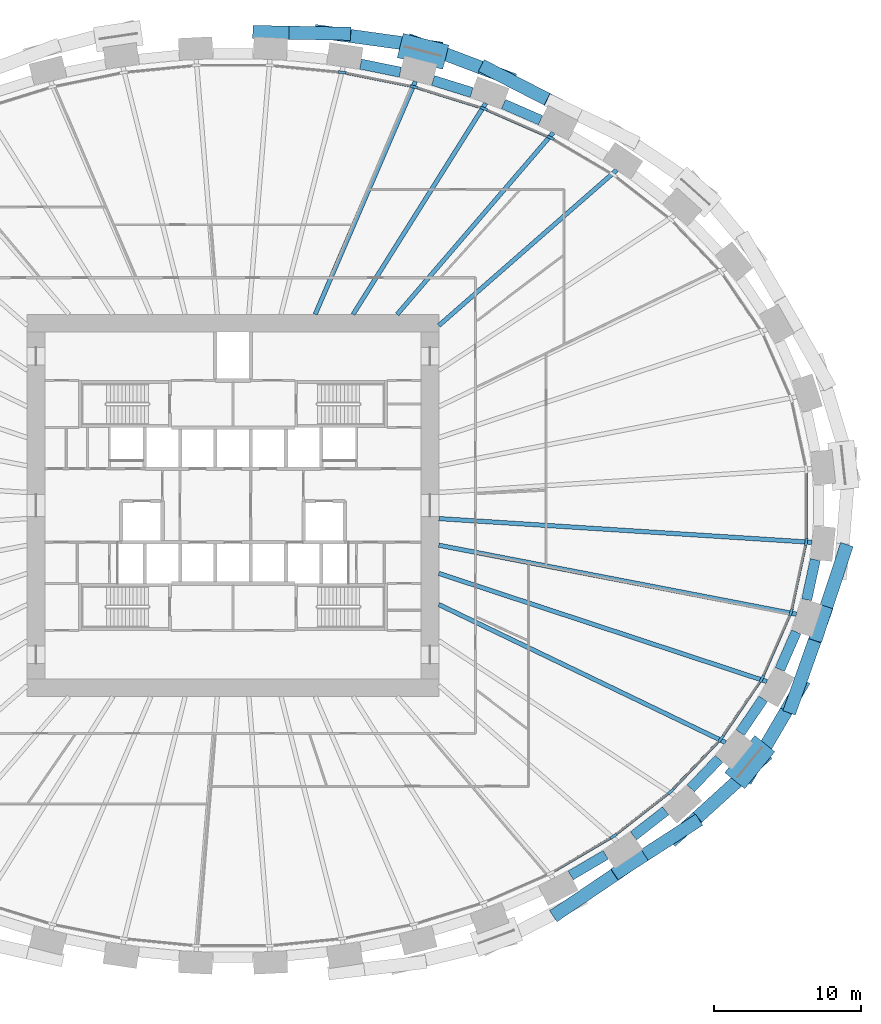
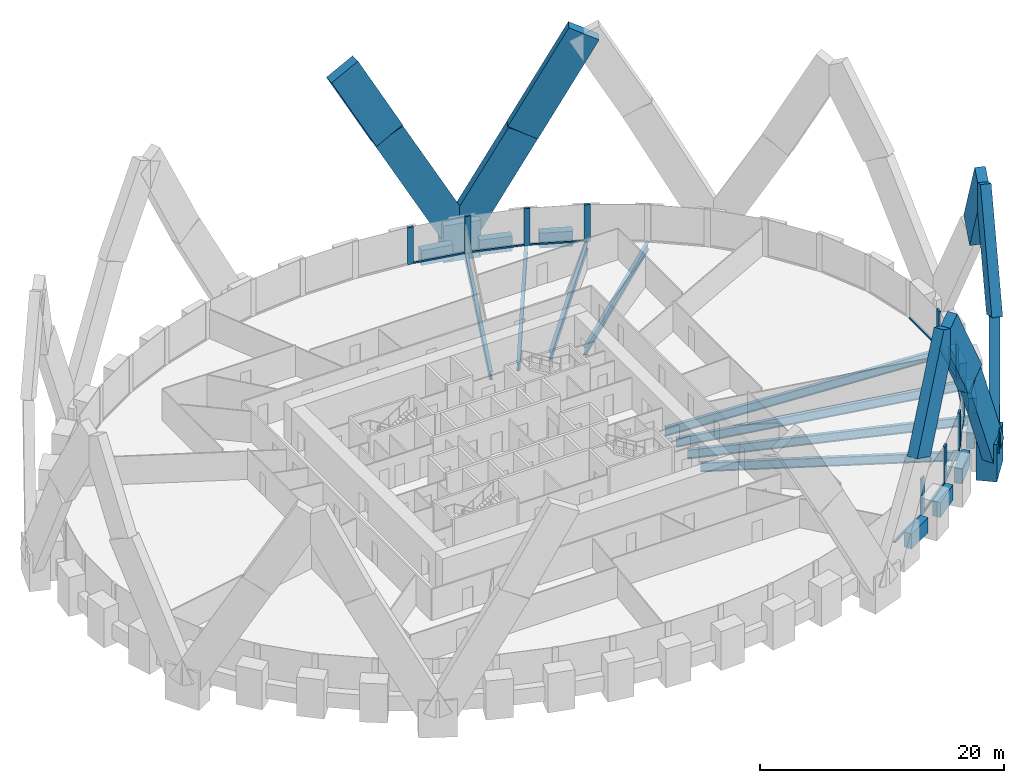
# One storey, part 4 of 13: 32 members, 17 beams, 1 element without a shape of its own.
"""IFC4 building model written with IfcOpenShell, lengths in metres."""

from ifc_helpers import new_model, si_unit, direction, frame, origin, origin_2d, place, context, subcontext, project, spatial, rectangle, i_section, extrude, source, transform, mapped, material, material_profile, profile_set, type_object, element, aggregate, save


model = new_model("IFC4")

# Units and contexts
model_context = context("Model", 3, precision=1e-05, world=origin(), true_north=direction((0.0, 1.0)))
body_context = subcontext(model_context, "Body", "Model", "MODEL_VIEW")
ifc_project = project(units=[si_unit("LENGTHUNIT", "METRE"), si_unit("AREAUNIT", "SQUARE_METRE"), si_unit("VOLUMEUNIT", "CUBIC_METRE"), si_unit("PLANEANGLEUNIT", "RADIAN"), si_unit("MASSUNIT", "GRAM", prefix="KILO")], contexts=[model_context])

# Site, building, storey
site_placement = place(None, origin())
site = spatial("IfcSite", under=ifc_project, at=site_placement, CompositionType="ELEMENT")
building_placement = place(site_placement, origin())
building = spatial("IfcBuilding", under=site, at=building_placement, Name="Embergate Tower", CompositionType="ELEMENT")
storey_placement = place(building_placement, frame((0.0, 0.0, 105.5)))
storey = spatial("IfcBuildingStorey", under=building, at=storey_placement, Name="L22", CompositionType="ELEMENT", Elevation=105.5)

# Beams
ifc_material_1 = material(Name="Concrete C70", Category="concrete")
ifc_material_profile_1 = material_profile(ifc_material_1, rectangle(XDim=0.699951171875, YDim=1.5, at=origin_2d()), Name="RC 700x1500")
ifc_profile_set_1 = profile_set([ifc_material_profile_1], Name="Concrete C70")
beam_type_1 = type_object("IfcBeamType", Name="Spandrel beam RC 700x1500 C70", PredefinedType="BEAM", material=ifc_profile_set_1)
shared_shape_1 = source(origin(), body_context, "Body", "SweptSolid", [
    extrude(rectangle(XDim=0.699951171875, YDim=1.5, at=origin_2d()), origin(), (0.0, 0.0, 1.0), 2.789306640625),
])
beam_1_placement = place(storey_placement, frame((39.02001953125, -6.409912109375, 0.0), z_axis=(0.210419662527, 0.977611152566, 0.0), x_axis=(-0.977611152566, 0.210419662527, 0.0)))
element("IfcBeam", 1, at=beam_1_placement, inside=storey, type_object=beam_type_1, Name="SPN-L22-42", PredefinedType="BEAM", context=body_context, shape_type="MappedRepresentation", body=[
    mapped(shared_shape_1, transform((0.0, 0.0, 0.0))),
])
shared_shape_2 = source(origin(), body_context, "Body", "SweptSolid", [
    extrude(rectangle(XDim=0.699951171875, YDim=1.5, at=origin_2d()), origin(), (0.0, 0.0, 1.0), 2.78564453125),
])
beam_2_placement = place(storey_placement, frame((37.193115234375, -11.14892578125, 0.0), z_axis=(0.401669232295, 0.915784815242, 0.0), x_axis=(-0.915784815242, 0.401669232295, 0.0)))
element("IfcBeam", 2, at=beam_2_placement, inside=storey, type_object=beam_type_1, Name="SPN-L22-41", PredefinedType="BEAM", context=body_context, shape_type="MappedRepresentation", body=[
    mapped(shared_shape_2, transform((0.0, 0.0, 0.0))),
])
shared_shape_3 = source(origin(), body_context, "Body", "SweptSolid", [
    extrude(rectangle(XDim=0.699951171875, YDim=1.5, at=origin_2d()), origin(), (0.0, 0.0, 1.0), 2.775634765625),
])
beam_3_placement = place(storey_placement, frame((34.5009765625, -15.447021484375, 0.0), z_axis=(0.562430313872, 0.826844690397, 0.0), x_axis=(-0.826844690397, 0.562430313872, 0.0)))
element("IfcBeam", 3, at=beam_3_placement, inside=storey, type_object=beam_type_1, Name="SPN-L22-40", PredefinedType="BEAM", context=body_context, shape_type="MappedRepresentation", body=[
    mapped(shared_shape_3, transform((0.0, 0.0, 0.0))),
])
shared_shape_4 = source(origin(), body_context, "Body", "SweptSolid", [
    extrude(rectangle(XDim=0.699951171875, YDim=1.5, at=origin_2d()), origin(), (0.0, 0.0, 1.0), 2.770263671875),
])
beam_4_placement = place(storey_placement, frame((31.14404296875, -19.241943359375, 0.0), z_axis=(0.690119345663, 0.723695577395, 0.0), x_axis=(-0.723695577395, 0.690119345663, 0.0)))
element("IfcBeam", 4, at=beam_4_placement, inside=storey, type_object=beam_type_1, Name="SPN-L22-39", PredefinedType="BEAM", context=body_context, shape_type="MappedRepresentation", body=[
    mapped(shared_shape_4, transform((0.0, 0.0, 0.0))),
])
shared_shape_5 = source(origin(), body_context, "Body", "SweptSolid", [
    extrude(rectangle(XDim=0.699951171875, YDim=1.5, at=origin_2d()), origin(), (0.0, 0.0, 1.0), 2.762939453125),
])
beam_5_placement = place(storey_placement, frame((27.248046875, -22.470947265625, 0.0), z_axis=(0.788304284462, 0.615285588242, 0.0), x_axis=(-0.615285588242, 0.788304284462, 0.0)))
element("IfcBeam", 5, at=beam_5_placement, inside=storey, type_object=beam_type_1, Name="SPN-L22-38", PredefinedType="BEAM", context=body_context, shape_type="MappedRepresentation", body=[
    mapped(shared_shape_5, transform((0.0, 0.0, 0.0))),
])
shared_shape_6 = source(origin(), body_context, "Body", "SweptSolid", [
    extrude(rectangle(XDim=0.699951171875, YDim=1.5, at=origin_2d()), origin(), (0.0, 0.0, 1.0), 2.758544921875),
])
beam_6_placement = place(storey_placement, frame((22.968017578125, -25.162109375, 0.0), z_axis=(0.862027482261, 0.506861539108, 0.0), x_axis=(-0.506861539108, 0.862027482261, 0.0)))
element("IfcBeam", 6, at=beam_6_placement, inside=storey, type_object=beam_type_1, Name="SPN-L22-37", PredefinedType="BEAM", context=body_context, shape_type="MappedRepresentation", body=[
    mapped(shared_shape_6, transform((0.0, 0.0, 0.0))),
])
shared_shape_7 = source(origin(), body_context, "Body", "SweptSolid", [
    extrude(rectangle(XDim=0.699951171875, YDim=1.5, at=origin_2d()), origin(), (0.0, 0.0, 1.0), 2.75537109375),
])
beam_7_placement = place(storey_placement, frame((20.9189453125, 26.2080078125, 0.0), z_axis=(-0.916372764163, 0.400326063478, 0.0), x_axis=(-0.400326063478, -0.916372764163, 0.0)))
element("IfcBeam", 7, at=beam_7_placement, inside=storey, type_object=beam_type_1, Name="SPN-L22-06", PredefinedType="BEAM", context=body_context, shape_type="MappedRepresentation", body=[
    mapped(shared_shape_7, transform((0.0, 0.0, 0.0))),
])
shared_shape_8 = source(origin(), body_context, "Body", "SweptSolid", [
    extrude(rectangle(XDim=0.699951171875, YDim=1.5, at=origin_2d()), origin(), (0.0, 0.0, 1.0), 2.750732421875),
])
beam_8_placement = place(storey_placement, frame((16.23193359375, 28.095947265625, 0.0), z_axis=(-0.954637769475, 0.297769590609, 0.0), x_axis=(-0.297769590609, -0.954637769475, 0.0)))
element("IfcBeam", 8, at=beam_8_placement, inside=storey, type_object=beam_type_1, Name="SPN-L22-07", PredefinedType="BEAM", context=body_context, shape_type="MappedRepresentation", body=[
    mapped(shared_shape_8, transform((0.0, 0.0, 0.0))),
])
shared_shape_9 = source(origin(), body_context, "Body", "SweptSolid", [
    extrude(rectangle(XDim=0.699951171875, YDim=1.5, at=origin_2d()), origin(), (0.0, 0.0, 1.0), 2.749755859375),
])
beam_9_placement = place(storey_placement, frame((11.376953125, 29.48291015625, 0.0), z_axis=(-0.98045412413, 0.196747834743, 0.0), x_axis=(-0.196747834743, -0.98045412413, 0.0)))
element("IfcBeam", 9, at=beam_9_placement, inside=storey, type_object=beam_type_1, Name="SPN-L22-08", PredefinedType="BEAM", context=body_context, shape_type="MappedRepresentation", body=[
    mapped(shared_shape_9, transform((0.0, 0.0, 0.0))),
])
ifc_material_2 = material(Name="Steel Q355B", Category="steel")
ifc_material_profile_2 = material_profile(ifc_material_2, i_section(OverallWidth=0.300048828125, OverallDepth=0.89990234375, WebThickness=0.01611328125, FlangeThickness=0.028076171875, FilletRadius=0.028076171875, at=origin_2d()), Name="HN 900x300x16x28")
ifc_profile_set_2 = profile_set([ifc_material_profile_2], Name="Steel Q355 grade B")
beam_type_2 = type_object("IfcBeamType", Name="Radial girder HN 900x300x16x28", PredefinedType="BEAM", material=ifc_profile_set_2)
shared_shape_10 = source(origin(), body_context, "Body", "SweptSolid", [
    extrude(i_section(OverallWidth=0.300048828125, OverallDepth=0.89990234375, WebThickness=0.01611328125, FlangeThickness=0.028076171875, FilletRadius=0.028076171875, at=origin_2d()), origin(), (0.0, 0.0, 1.0), 25.43115234375),
])
beam_10_placement = place(storey_placement, frame((39.3798828125, -2.501953125, -0.64990234375), z_axis=(-0.997986432318, 0.063427761344, 0.0), x_axis=(-0.063427761344, -0.997986432318, 0.0)))
element("IfcBeam", 10, at=beam_10_placement, inside=storey, type_object=beam_type_2, Name="GIR-L22-43", PredefinedType="BEAM", context=body_context, shape_type="MappedRepresentation", body=[
    mapped(shared_shape_10, transform((0.0, 0.0, 0.0))),
])
shared_shape_11 = source(origin(), body_context, "Body", "SweptSolid", [
    extrude(i_section(OverallWidth=0.300048828125, OverallDepth=0.89990234375, WebThickness=0.01611328125, FlangeThickness=0.028076171875, FilletRadius=0.028076171875, at=origin_2d()), origin(), (0.0, 0.0, 1.0), 24.775390625),
])
beam_11_placement = place(storey_placement, frame((38.326904296875, -7.39404296875, -0.64990234375), z_axis=(-0.981895013442, 0.189425929, 0.0), x_axis=(-0.189425929, -0.981895013442, 0.0)))
element("IfcBeam", 11, at=beam_11_placement, inside=storey, type_object=beam_type_2, Name="GIR-L22-42", PredefinedType="BEAM", context=body_context, shape_type="MappedRepresentation", body=[
    mapped(shared_shape_11, transform((0.0, 0.0, 0.0))),
])
shared_shape_12 = source(origin(), body_context, "Body", "SweptSolid", [
    extrude(i_section(OverallWidth=0.300048828125, OverallDepth=0.89990234375, WebThickness=0.01611328125, FlangeThickness=0.028076171875, FilletRadius=0.028076171875, at=origin_2d()), origin(), (0.0, 0.0, 1.0), 23.499267578125),
])
beam_12_placement = place(storey_placement, frame((36.31689453125, -11.97705078125, -0.64990234375), z_axis=(-0.949685213061, 0.31320599626, 0.0), x_axis=(-0.31320599626, -0.949685213061, 0.0)))
element("IfcBeam", 12, at=beam_12_placement, inside=storey, type_object=beam_type_2, Name="GIR-L22-41", PredefinedType="BEAM", context=body_context, shape_type="MappedRepresentation", body=[
    mapped(shared_shape_12, transform((0.0, 0.0, 0.0))),
])
shared_shape_13 = source(origin(), body_context, "Body", "SweptSolid", [
    extrude(i_section(OverallWidth=0.300048828125, OverallDepth=0.89990234375, WebThickness=0.01611328125, FlangeThickness=0.028076171875, FilletRadius=0.028076171875, at=origin_2d()), origin(), (0.0, 0.0, 1.0), 21.641357421875),
])
beam_13_placement = place(storey_placement, frame((33.501953125, -16.116943359375, -0.64990234375), z_axis=(-0.901145989674, 0.433515749765, 0.0), x_axis=(-0.433515749765, -0.901145989674, 0.0)))
element("IfcBeam", 13, at=beam_13_placement, inside=storey, type_object=beam_type_2, Name="GIR-L22-40", PredefinedType="BEAM", context=body_context, shape_type="MappedRepresentation", body=[
    mapped(shared_shape_13, transform((0.0, 0.0, 0.0))),
])
ifc_material_profile_3 = material_profile(ifc_material_2, i_section(OverallWidth=0.300048828125, OverallDepth=0.800048828125, WebThickness=0.013916015625, FlangeThickness=0.02587890625, FilletRadius=0.028076171875, at=origin_2d()), Name="HN 800x300x14x26")
ifc_profile_set_3 = profile_set([ifc_material_profile_3], Name="Steel Q355 grade B")
beam_type_3 = type_object("IfcBeamType", Name="Radial girder HN 800x300x14x26", PredefinedType="BEAM", material=ifc_profile_set_3)
shared_shape_14 = source(origin(), body_context, "Body", "SweptSolid", [
    extrude(i_section(OverallWidth=0.300048828125, OverallDepth=0.800048828125, WebThickness=0.013916015625, FlangeThickness=0.02587890625, FilletRadius=0.028076171875, at=origin_2d()), origin(), (0.0, 0.0, 1.0), 16.071533203125),
])
beam_14_placement = place(storey_placement, frame((26.097900390625, 22.822998046875, -0.60009765625), z_axis=(-0.752748875992, -0.658307777329, 0.0), x_axis=(0.658307777329, -0.752748875992, 0.0)))
element("IfcBeam", 14, at=beam_14_placement, inside=storey, type_object=beam_type_3, Name="GIR-L22-05", PredefinedType="BEAM", context=body_context, shape_type="MappedRepresentation", body=[
    mapped(shared_shape_14, transform((0.0, 0.0, 0.0))),
])
shared_shape_15 = source(origin(), body_context, "Body", "SweptSolid", [
    extrude(i_section(OverallWidth=0.300048828125, OverallDepth=0.800048828125, WebThickness=0.013916015625, FlangeThickness=0.02587890625, FilletRadius=0.028076171875, at=origin_2d()), origin(), (0.0, 0.0, 1.0), 16.294677734375),
])
beam_15_placement = place(storey_placement, frame((21.779052734375, 25.362060546875, -0.60009765625), z_axis=(-0.651495635829, -0.758652381856, 0.0), x_axis=(0.758652381856, -0.651495635829, 0.0)))
element("IfcBeam", 15, at=beam_15_placement, inside=storey, type_object=beam_type_3, Name="GIR-L22-06", PredefinedType="BEAM", context=body_context, shape_type="MappedRepresentation", body=[
    mapped(shared_shape_15, transform((0.0, 0.0, 0.0))),
])
shared_shape_16 = source(origin(), body_context, "Body", "SweptSolid", [
    extrude(i_section(OverallWidth=0.300048828125, OverallDepth=0.800048828125, WebThickness=0.013916015625, FlangeThickness=0.02587890625, FilletRadius=0.028076171875, at=origin_2d()), origin(), (0.0, 0.0, 1.0), 16.968017578125),
])
beam_16_placement = place(storey_placement, frame((17.18896484375, 27.368896484375, -0.60009765625), z_axis=(-0.53187684388, -0.846821718513, 0.0), x_axis=(0.846821718513, -0.53187684388, 0.0)))
element("IfcBeam", 16, at=beam_16_placement, inside=storey, type_object=beam_type_3, Name="GIR-L22-07", PredefinedType="BEAM", context=body_context, shape_type="MappedRepresentation", body=[
    mapped(shared_shape_16, transform((0.0, 0.0, 0.0))),
])
shared_shape_17 = source(origin(), body_context, "Body", "SweptSolid", [
    extrude(i_section(OverallWidth=0.300048828125, OverallDepth=0.800048828125, WebThickness=0.013916015625, FlangeThickness=0.02587890625, FilletRadius=0.028076171875, at=origin_2d()), origin(), (0.0, 0.0, 1.0), 17.261962890625),
])
beam_17_placement = place(storey_placement, frame((12.405029296875, 28.85888671875, -0.60009765625), z_axis=(-0.394921038266, -0.918715066566, 0.0), x_axis=(0.918715066566, -0.394921038266, 0.0)))
element("IfcBeam", 17, at=beam_17_placement, inside=storey, type_object=beam_type_3, Name="GIR-L22-08", PredefinedType="BEAM", context=body_context, shape_type="MappedRepresentation", body=[
    mapped(shared_shape_17, transform((0.0, 0.0, 0.0))),
])

# Members
ifc_material_profile_4 = material_profile(ifc_material_1, rectangle(XDim=1.699951171875, YDim=3.199951171875, at=origin_2d()), Name="RC 1700x3200")
ifc_profile_set_4 = profile_set([ifc_material_profile_4], Name="Concrete C70")
member_type_1 = type_object("IfcMemberType", Name="Lattice node block RC 1700x3200", PredefinedType="POST", material=ifc_profile_set_4)
shared_shape_18 = source(origin(), body_context, "Body", "SweptSolid", [
    extrude(rectangle(XDim=1.699951171875, YDim=3.199951171875, at=origin_2d()), origin(), (0.0, 0.0, 1.0), 3.7001953125),
])
member_1_placement = place(storey_placement, frame((12.923095703125, 30.89404296875, -1.85009765625), z_axis=(0.0, 0.0, 1.0), x_axis=(0.24650851817, 0.969140624713, 0.0)))
element("IfcMember", 18, at=member_1_placement, inside=storey, type_object=member_type_1, Name="NOD-L22-08", PredefinedType="POST", context=body_context, shape_type="MappedRepresentation", body=[
    mapped(shared_shape_18, transform((0.0, 0.0, 0.0))),
])
ifc_material_profile_5 = material_profile(ifc_material_1, rectangle(XDim=1.75, YDim=3.25, at=origin_2d()), Name="RC 1750x3250")
ifc_profile_set_5 = profile_set([ifc_material_profile_5], Name="Concrete C70")
member_type_2 = type_object("IfcMemberType", Name="Lattice node block RC 1750x3250", PredefinedType="POST", material=ifc_profile_set_5)
shared_shape_19 = source(origin(), body_context, "Body", "SweptSolid", [
    extrude(rectangle(XDim=1.75, YDim=3.25, at=origin_2d()), origin(), (0.0, 0.0, 1.0), 3.75),
])
member_2_placement = place(storey_placement, frame((35.15087890625, -17.4580078125, -1.875), z_axis=(0.0, 0.0, 1.0), x_axis=(0.775925311702, -0.630824786022, 0.0)))
element("IfcMember", 19, at=member_2_placement, inside=storey, type_object=member_type_2, Name="NOD-L22-40", PredefinedType="POST", context=body_context, shape_type="MappedRepresentation", body=[
    mapped(shared_shape_19, transform((0.0, 0.0, 0.0))),
])
ifc_material_profile_6 = material_profile(ifc_material_1, rectangle(XDim=0.89990234375, YDim=2.800048828125, at=origin_2d()), Name="RC 900x2800")
ifc_profile_set_6 = profile_set([ifc_material_profile_6], Name="Concrete C70")
member_type_3 = type_object("IfcMemberType", Name="Lattice diagonal terracotta-faced RC 900x2800", PredefinedType="BRACE", material=ifc_profile_set_6)
shared_shape_20 = source(origin(), body_context, "Body", "SweptSolid", [
    extrude(rectangle(XDim=0.89990234375, YDim=2.800048828125, at=origin_2d()), origin(), (0.0, 0.0, 1.0), 8.85693359375),
])
member_3_placement = place(storey_placement, frame((6.77099609375, 32.114013671875, 11.699951171875), z_axis=(-0.473649269798, 0.008352192792, 0.880673952207), x_axis=(-0.017630966794, -0.999844562425, 0.0)))
element("IfcMember", 20, at=member_3_placement, inside=storey, type_object=member_type_3, Name="BRC-L22-08-10-S01", PredefinedType="BRACE", context=body_context, shape_type="MappedRepresentation", body=[
    mapped(shared_shape_20, transform((0.0, 0.0, 0.0))),
])
shared_shape_21 = source(origin(), body_context, "Body", "SweptSolid", [
    extrude(rectangle(XDim=0.89990234375, YDim=2.800048828125, at=origin_2d()), origin(), (0.0, 0.0, 1.0), 8.977294921875),
])
member_4_placement = place(storey_placement, frame((41.3779296875, -3.81201171875, 11.699951171875), z_axis=(-0.155284985324, -0.470070222648, 0.868861645553), x_axis=(0.949531333464, -0.31367219636, 0.0)))
element("IfcMember", 21, at=member_4_placement, inside=storey, type_object=member_type_3, Name="BRC-L22-00-42-S01", PredefinedType="BRACE", context=body_context, shape_type="MappedRepresentation", body=[
    mapped(shared_shape_21, transform((0.0, 0.0, 0.0))),
])
shared_shape_22 = source(origin(), body_context, "Body", "SweptSolid", [
    extrude(rectangle(XDim=0.89990234375, YDim=2.800048828125, at=origin_2d()), origin(), (0.0, 0.0, 1.0), 11.109619140625),
])
member_5_placement = place(storey_placement, frame((13.012939453125, 31.2490234375, 0.0), z_axis=(0.448342598935, -0.169672248131, 0.877610529902), x_axis=(0.353945203133, 0.935266161678, 0.0)))
element("IfcMember", 22, at=member_5_placement, inside=storey, type_object=member_type_3, Name="BRC-L22-08-06-S00", PredefinedType="BRACE", context=body_context, shape_type="MappedRepresentation", body=[
    mapped(shared_shape_22, transform((0.0, 0.0, 0.0))),
])
shared_shape_23 = source(origin(), body_context, "Body", "SweptSolid", [
    extrude(rectangle(XDim=0.89990234375, YDim=2.800048828125, at=origin_2d()), origin(), (0.0, 0.0, 1.0), 10.972900390625),
])
member_6_placement = place(storey_placement, frame((17.993896484375, 29.364013671875, 9.75), z_axis=(0.408186637734, -0.209433163686, 0.888550177944), x_axis=(0.456500754149, 0.889723025138, 0.0)))
element("IfcMember", 23, at=member_6_placement, inside=storey, type_object=member_type_3, Name="BRC-L22-08-06-S01", PredefinedType="BRACE", context=body_context, shape_type="MappedRepresentation", body=[
    mapped(shared_shape_23, transform((0.0, 0.0, 0.0))),
])
shared_shape_24 = source(origin(), body_context, "Body", "SweptSolid", [
    extrude(rectangle(XDim=0.89990234375, YDim=2.800048828125, at=origin_2d()), origin(), (0.0, 0.0, 1.0), 13.2890625),
])
member_7_placement = place(storey_placement, frame((13.012939453125, 31.2490234375, 0.0), z_axis=(-0.469705665762, 0.065090435866, 0.880420253464), x_axis=(-0.13726534481, -0.990534312941, 0.0)))
element("IfcMember", 24, at=member_7_placement, inside=storey, type_object=member_type_3, Name="BRC-L22-08-10-S00", PredefinedType="BRACE", context=body_context, shape_type="MappedRepresentation", body=[
    mapped(shared_shape_24, transform((0.0, 0.0, 0.0))),
])
shared_shape_25 = source(origin(), body_context, "Body", "SweptSolid", [
    extrude(rectangle(XDim=0.89990234375, YDim=2.800048828125, at=origin_2d()), origin(), (0.0, 0.0, 1.0), 10.966552734375),
])
member_8_placement = place(storey_placement, frame((22.821044921875, -27.243896484375, 9.75), z_axis=(0.378972612589, 0.256774370769, 0.889070684155), x_axis=(-0.560924490577, 0.827866967496, 0.0)))
element("IfcMember", 25, at=member_8_placement, inside=storey, type_object=member_type_3, Name="BRC-L22-36-38-S01", PredefinedType="BRACE", context=body_context, shape_type="MappedRepresentation", body=[
    mapped(shared_shape_25, transform((0.0, 0.0, 0.0))),
])
shared_shape_26 = source(origin(), body_context, "Body", "SweptSolid", [
    extrude(rectangle(XDim=0.89990234375, YDim=2.800048828125, at=origin_2d()), origin(), (0.0, 0.0, 1.0), 13.354248046875),
])
member_9_placement = place(storey_placement, frame((35.4541015625, -17.7041015625, 0.0), z_axis=(-0.35689935897, -0.324083338616, 0.876123756782), x_axis=(0.672251762814, -0.740322610349, 0.0)))
element("IfcMember", 26, at=member_9_placement, inside=storey, type_object=member_type_3, Name="BRC-L22-40-38-S00", PredefinedType="BRACE", context=body_context, shape_type="MappedRepresentation", body=[
    mapped(shared_shape_26, transform((0.0, 0.0, 0.0))),
])
shared_shape_27 = source(origin(), body_context, "Body", "SweptSolid", [
    extrude(rectangle(XDim=0.89990234375, YDim=2.800048828125, at=origin_2d()), origin(), (0.0, 0.0, 1.0), 8.9638671875),
])
member_10_placement = place(storey_placement, frame((30.68798828125, -22.031982421875, 11.699951171875), z_axis=(-0.413984069523, -0.267292082783, 0.870156384027), x_axis=(0.54242142122, -0.840106541935, 0.0)))
element("IfcMember", 27, at=member_10_placement, inside=storey, type_object=member_type_3, Name="BRC-L22-40-38-S01", PredefinedType="BRACE", context=body_context, shape_type="MappedRepresentation", body=[
    mapped(shared_shape_27, transform((0.0, 0.0, 0.0))),
])
shared_shape_28 = source(origin(), body_context, "Body", "SweptSolid", [
    extrude(rectangle(XDim=0.89990234375, YDim=2.800048828125, at=origin_2d()), origin(), (0.0, 0.0, 1.0), 11.203125),
])
member_11_placement = place(storey_placement, frame((35.4541015625, -17.7041015625, 0.0), z_axis=(0.248760100829, 0.425082306332, 0.870300778512), x_axis=(-0.863075157681, 0.505075511378, 0.0)))
element("IfcMember", 28, at=member_11_placement, inside=storey, type_object=member_type_3, Name="BRC-L22-40-42-S00", PredefinedType="BRACE", context=body_context, shape_type="MappedRepresentation", body=[
    mapped(shared_shape_28, transform((0.0, 0.0, 0.0))),
])
shared_shape_29 = source(origin(), body_context, "Body", "SweptSolid", [
    extrude(rectangle(XDim=0.89990234375, YDim=2.800048828125, at=origin_2d()), origin(), (0.0, 0.0, 1.0), 11.0546875),
])
member_12_placement = place(storey_placement, frame((38.240966796875, -12.94189453125, 9.75), z_axis=(0.15766253024, 0.444144998692, 0.881973778916), x_axis=(-0.942385815962, 0.334527986682, 0.0)))
element("IfcMember", 29, at=member_12_placement, inside=storey, type_object=member_type_3, Name="BRC-L22-40-42-S01", PredefinedType="BRACE", context=body_context, shape_type="MappedRepresentation", body=[
    mapped(shared_shape_29, transform((0.0, 0.0, 0.0))),
])

# Curtain wall, members
ifc_material_3 = material(Name="Aluminium and glass", Category="aluminium")
curtain_wall_type = type_object("IfcCurtainWallType", Name="Recessed office glazing", PredefinedType="NOTDEFINED", material=ifc_material_3)
curtain_wall_placement = place(storey_placement, origin())
curtain_wall = element("IfcCurtainWall", 30, at=curtain_wall_placement, inside=storey, type_object=curtain_wall_type, Name="Recessed office glazing ring", ObjectType="RECESSED OFFICE GLAZING", PredefinedType="USERDEFINED")
ifc_material_4 = material(Name="Aluminium, thermally broken", Category="aluminium")
ifc_material_profile_7 = material_profile(ifc_material_4, rectangle(XDim=0.179931640625, YDim=0.52001953125, at=origin_2d()), Name="AL 520x180")
ifc_profile_set_7 = profile_set([ifc_material_profile_7], Name="Aluminium, thermally broken")
member_type_4 = type_object("IfcMemberType", Name="Office mullion", PredefinedType="MULLION", material=ifc_profile_set_7)
shared_shape_30 = source(origin(), body_context, "Body", "SweptSolid", [
    extrude(rectangle(XDim=0.179931640625, YDim=0.52001953125, at=origin_2d()), origin(), (0.0, 0.0, 1.0), 3.699951171875),
])
member_13_placement = place(storey_placement, frame((21.602294921875, 25.014404296875, 0.0), z_axis=(0.0, 0.0, 1.0), x_axis=(-0.454520708319, -0.890736170653, 0.0)))
member_13 = element("IfcMember", 31, at=member_13_placement, type_object=member_type_4, Name="CW mullion 7", PredefinedType="MULLION", context=body_context, shape_type="MappedRepresentation", body=[
    mapped(shared_shape_30, transform((0.0, 0.0, 0.0))),
])
member_14_placement = place(storey_placement, frame((17.052734375, 27.00390625, 0.0), z_axis=(0.0, 0.0, 1.0), x_axis=(-0.349510859141, -0.936932313106, 0.0)))
member_14 = element("IfcMember", 32, at=member_14_placement, type_object=member_type_4, Name="CW mullion 8", PredefinedType="MULLION", context=body_context, shape_type="MappedRepresentation", body=[
    mapped(shared_shape_30, transform((0.0, 0.0, 0.0))),
])
member_15_placement = place(storey_placement, frame((12.30859375, 28.481201171875, 0.0), z_axis=(0.0, 0.0, 1.0), x_axis=(-0.247316954703, -0.968934633459, 0.0)))
member_15 = element("IfcMember", 33, at=member_15_placement, type_object=member_type_4, Name="CW mullion 9", PredefinedType="MULLION", context=body_context, shape_type="MappedRepresentation", body=[
    mapped(shared_shape_30, transform((0.0, 0.0, 0.0))),
])
member_16_placement = place(storey_placement, frame((7.434814453125, 29.458984375, 0.0), z_axis=(0.0, 0.0, 1.0), x_axis=(-0.147415835341, -0.989074603602, 0.0)))
member_16 = element("IfcMember", 34, at=member_16_placement, type_object=member_type_4, Name="CW mullion 10", PredefinedType="MULLION", context=body_context, shape_type="MappedRepresentation", body=[
    mapped(shared_shape_30, transform((0.0, 0.0, 0.0))),
])
member_17_placement = place(storey_placement, frame((25.87890625, -22.5, 0.0), z_axis=(0.0, 0.0, 1.0), x_axis=(-0.562227722082, 0.826982459622, 0.0)))
member_17 = element("IfcMember", 35, at=member_17_placement, type_object=member_type_4, Name="CW mullion 39", PredefinedType="MULLION", context=body_context, shape_type="MappedRepresentation", body=[
    mapped(shared_shape_30, transform((0.0, 0.0, 0.0))),
])
member_18_placement = place(storey_placement, frame((29.784912109375, -19.451416015625, 0.0), z_axis=(0.0, 0.0, 1.0), x_axis=(-0.671238177437, 0.741241734626, 0.0)))
member_18 = element("IfcMember", 36, at=member_18_placement, type_object=member_type_4, Name="CW mullion 40", PredefinedType="MULLION", context=body_context, shape_type="MappedRepresentation", body=[
    mapped(shared_shape_30, transform((0.0, 0.0, 0.0))),
])
member_19_placement = place(storey_placement, frame((33.19921875, -15.87109375, 0.0), z_axis=(0.0, 0.0, 1.0), x_axis=(-0.777883532271, 0.628408474022, 0.0)))
member_19 = element("IfcMember", 37, at=member_19_placement, type_object=member_type_4, Name="CW mullion 41", PredefinedType="MULLION", context=body_context, shape_type="MappedRepresentation", body=[
    mapped(shared_shape_30, transform((0.0, 0.0, 0.0))),
])
member_20_placement = place(storey_placement, frame((35.9765625, -11.787353515625, 0.0), z_axis=(0.0, 0.0, 1.0), x_axis=(-0.875009500255, 0.484105747191, 0.0)))
member_20 = element("IfcMember", 38, at=member_20_placement, type_object=member_type_4, Name="CW mullion 42", PredefinedType="MULLION", context=body_context, shape_type="MappedRepresentation", body=[
    mapped(shared_shape_30, transform((0.0, 0.0, 0.0))),
])
member_21_placement = place(storey_placement, frame((37.95654296875, -7.272705078125, 0.0), z_axis=(0.0, 0.0, 1.0), x_axis=(-0.951501556643, 0.307643930065, 0.0)))
member_21 = element("IfcMember", 39, at=member_21_placement, type_object=member_type_4, Name="CW mullion 43", PredefinedType="MULLION", context=body_context, shape_type="MappedRepresentation", body=[
    mapped(shared_shape_30, transform((0.0, 0.0, 0.0))),
])
member_22_placement = place(storey_placement, frame((38.9921875, -2.4599609375, 0.0), z_axis=(0.0, 0.0, 1.0), x_axis=(-0.994385324123, 0.105819786286, 0.0)))
member_22 = element("IfcMember", 40, at=member_22_placement, type_object=member_type_4, Name="CW mullion 44", PredefinedType="MULLION", context=body_context, shape_type="MappedRepresentation", body=[
    mapped(shared_shape_30, transform((0.0, 0.0, 0.0))),
])
ifc_material_profile_8 = material_profile(ifc_material_4, rectangle(XDim=0.179931640625, YDim=0.14990234375, at=origin_2d()), Name="AL 150x180")
ifc_profile_set_8 = profile_set([ifc_material_profile_8], Name="Aluminium, thermally broken")
member_type_5 = type_object("IfcMemberType", Name="Office sill transom", PredefinedType="USERDEFINED", material=ifc_profile_set_8)
shared_shape_31 = source(origin(), body_context, "Body", "SweptSolid", [
    extrude(rectangle(XDim=0.179931640625, YDim=0.14990234375, at=origin_2d()), origin(), (0.0, 0.0, 1.0), 4.40283203125),
])
member_23_placement = place(storey_placement, frame((38.01123046875, -7.018310546875, 0.074951171875), z_axis=(0.210384862648, 0.977618642196, 0.0), x_axis=(-0.977618642196, 0.210384862648, 0.0)))
member_23 = element("IfcMember", 41, at=member_23_placement, type_object=member_type_5, Name="CW transom 43.1", ObjectType="TRANSOM", PredefinedType="USERDEFINED", context=body_context, shape_type="MappedRepresentation", body=[
    mapped(shared_shape_31, transform((0.0, 0.0, 0.0))),
])
shared_shape_32 = source(origin(), body_context, "Body", "SweptSolid", [
    extrude(rectangle(XDim=0.179931640625, YDim=0.14990234375, at=origin_2d()), origin(), (0.0, 0.0, 1.0), 4.409912109375),
])
member_24_placement = place(storey_placement, frame((36.080810546875, -11.54931640625, 0.074951171875), z_axis=(0.401649276601, 0.915793567681, 0.0), x_axis=(-0.915793567681, 0.401649276601, 0.0)))
member_24 = element("IfcMember", 42, at=member_24_placement, type_object=member_type_5, Name="CW transom 42.1", ObjectType="TRANSOM", PredefinedType="USERDEFINED", context=body_context, shape_type="MappedRepresentation", body=[
    mapped(shared_shape_32, transform((0.0, 0.0, 0.0))),
])
shared_shape_33 = source(origin(), body_context, "Body", "SweptSolid", [
    extrude(rectangle(XDim=0.179931640625, YDim=0.14990234375, at=origin_2d()), origin(), (0.0, 0.0, 1.0), 4.41845703125),
])
member_25_placement = place(storey_placement, frame((33.345458984375, -15.656005859375, 0.074951171875), z_axis=(0.562314555327, 0.826923418986, 0.0), x_axis=(-0.826923418986, 0.562314555327, 0.0)))
member_25 = element("IfcMember", 43, at=member_25_placement, type_object=member_type_5, Name="CW transom 41.1", ObjectType="TRANSOM", PredefinedType="USERDEFINED", context=body_context, shape_type="MappedRepresentation", body=[
    mapped(shared_shape_33, transform((0.0, 0.0, 0.0))),
])
shared_shape_34 = source(origin(), body_context, "Body", "SweptSolid", [
    extrude(rectangle(XDim=0.179931640625, YDim=0.14990234375, at=origin_2d()), origin(), (0.0, 0.0, 1.0), 4.42724609375),
])
member_26_placement = place(storey_placement, frame((29.96435546875, -19.26318359375, 0.074951171875), z_axis=(0.690143848167, 0.723672210906, 0.0), x_axis=(-0.723672210906, 0.690143848167, 0.0)))
member_26 = element("IfcMember", 44, at=member_26_placement, type_object=member_type_5, Name="CW transom 40.1", ObjectType="TRANSOM", PredefinedType="USERDEFINED", context=body_context, shape_type="MappedRepresentation", body=[
    mapped(shared_shape_34, transform((0.0, 0.0, 0.0))),
])
shared_shape_35 = source(origin(), body_context, "Body", "SweptSolid", [
    extrude(rectangle(XDim=0.179931640625, YDim=0.14990234375, at=origin_2d()), origin(), (0.0, 0.0, 1.0), 4.434814453125),
])
member_27_placement = place(storey_placement, frame((26.083984375, -22.340087890625, 0.074951171875), z_axis=(0.788331413259, 0.615250829231, 0.0), x_axis=(-0.615250829231, 0.788331413259, 0.0)))
member_27 = element("IfcMember", 45, at=member_27_placement, type_object=member_type_5, Name="CW transom 39.1", ObjectType="TRANSOM", PredefinedType="USERDEFINED", context=body_context, shape_type="MappedRepresentation", body=[
    mapped(shared_shape_35, transform((0.0, 0.0, 0.0))),
])
shared_shape_36 = source(origin(), body_context, "Body", "SweptSolid", [
    extrude(rectangle(XDim=0.179931640625, YDim=0.14990234375, at=origin_2d()), origin(), (0.0, 0.0, 1.0), 4.441162109375),
])
member_28_placement = place(storey_placement, frame((21.826416015625, -24.8828125, 0.074951171875), z_axis=(0.862033122062, 0.506851947287, 0.0), x_axis=(-0.506851947287, 0.862033122062, 0.0)))
member_28 = element("IfcMember", 46, at=member_28_placement, type_object=member_type_5, Name="CW transom 38.1", ObjectType="TRANSOM", PredefinedType="USERDEFINED", context=body_context, shape_type="MappedRepresentation", body=[
    mapped(shared_shape_36, transform((0.0, 0.0, 0.0))),
])
shared_shape_37 = source(origin(), body_context, "Body", "SweptSolid", [
    extrude(rectangle(XDim=0.179931640625, YDim=0.14990234375, at=origin_2d()), origin(), (0.0, 0.0, 1.0), 4.4453125),
])
member_29_placement = place(storey_placement, frame((21.364013671875, 25.11865234375, 0.074951171875), z_axis=(-0.916234206369, 0.400643081907, 0.0), x_axis=(-0.400643081907, -0.916234206369, 0.0)))
member_29 = element("IfcMember", 47, at=member_29_placement, type_object=member_type_5, Name="CW transom 7.1", ObjectType="TRANSOM", PredefinedType="USERDEFINED", context=body_context, shape_type="MappedRepresentation", body=[
    mapped(shared_shape_37, transform((0.0, 0.0, 0.0))),
])
shared_shape_38 = source(origin(), body_context, "Body", "SweptSolid", [
    extrude(rectangle(XDim=0.179931640625, YDim=0.14990234375, at=origin_2d()), origin(), (0.0, 0.0, 1.0), 4.448974609375),
])
member_30_placement = place(storey_placement, frame((16.8046875, 27.081298828125, 0.074951171875), z_axis=(-0.954779260894, 0.297315594892, 0.0), x_axis=(-0.297315594892, -0.954779260894, 0.0)))
member_30 = element("IfcMember", 48, at=member_30_placement, type_object=member_type_5, Name="CW transom 8.1", ObjectType="TRANSOM", PredefinedType="USERDEFINED", context=body_context, shape_type="MappedRepresentation", body=[
    mapped(shared_shape_38, transform((0.0, 0.0, 0.0))),
])
shared_shape_39 = source(origin(), body_context, "Body", "SweptSolid", [
    extrude(rectangle(XDim=0.179931640625, YDim=0.14990234375, at=origin_2d()), origin(), (0.0, 0.0, 1.0), 4.450927734375),
])
member_31_placement = place(storey_placement, frame((12.0537109375, 28.532470703125, 0.074951171875), z_axis=(-0.980475049714, 0.196643527453, 0.0), x_axis=(-0.196643527453, -0.980475049714, 0.0)))
member_31 = element("IfcMember", 49, at=member_31_placement, type_object=member_type_5, Name="CW transom 9.1", ObjectType="TRANSOM", PredefinedType="USERDEFINED", context=body_context, shape_type="MappedRepresentation", body=[
    mapped(shared_shape_39, transform((0.0, 0.0, 0.0))),
])
shared_shape_40 = source(origin(), body_context, "Body", "SweptSolid", [
    extrude(rectangle(XDim=0.179931640625, YDim=0.14990234375, at=origin_2d()), origin(), (0.0, 0.0, 1.0), 4.39990234375),
])
member_32_placement = place(storey_placement, frame((38.9921875, -2.199951171875, 0.074951171875), z_axis=(0.0, 1.0, 0.0), x_axis=(-1.0, 0.0, 0.0)))
member_32 = element("IfcMember", 50, at=member_32_placement, type_object=member_type_5, Name="CW transom 44.1", ObjectType="TRANSOM", PredefinedType="USERDEFINED", context=body_context, shape_type="MappedRepresentation", body=[
    mapped(shared_shape_40, transform((0.0, 0.0, 0.0))),
])
aggregate(curtain_wall, [member_13, member_14, member_15, member_16, member_17, member_18, member_19, member_20, member_21, member_22, member_29, member_30, member_31, member_28, member_27, member_26, member_25, member_24, member_23, member_32])

save(model, "model.ifc")
